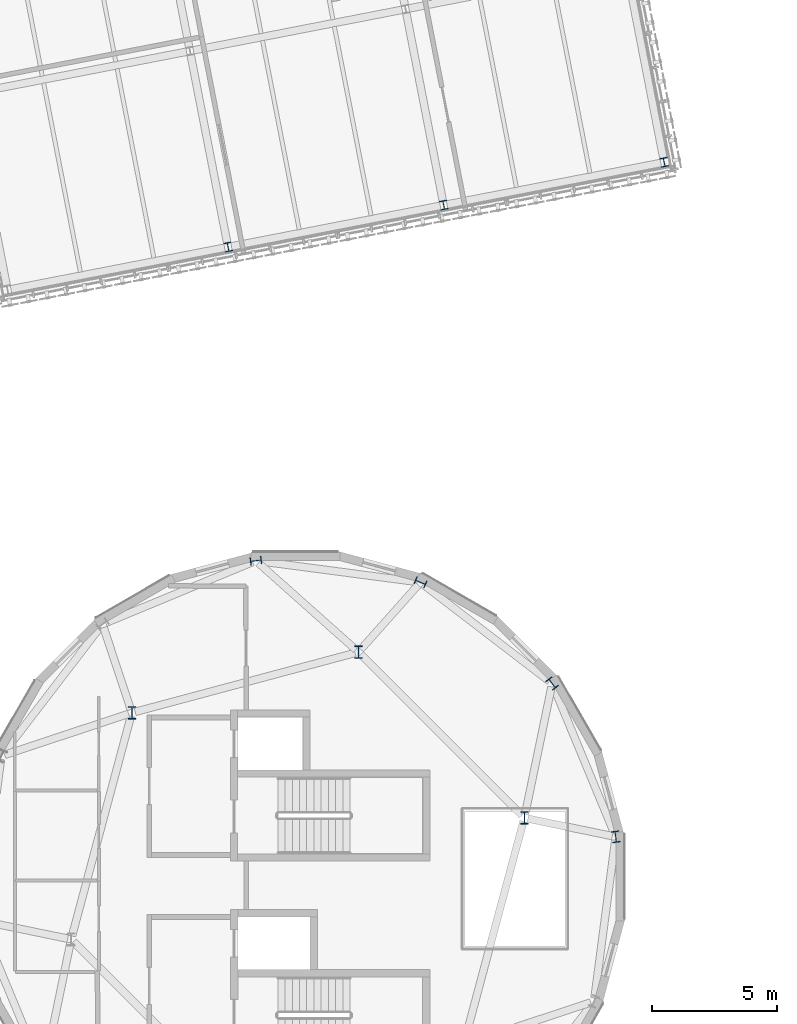
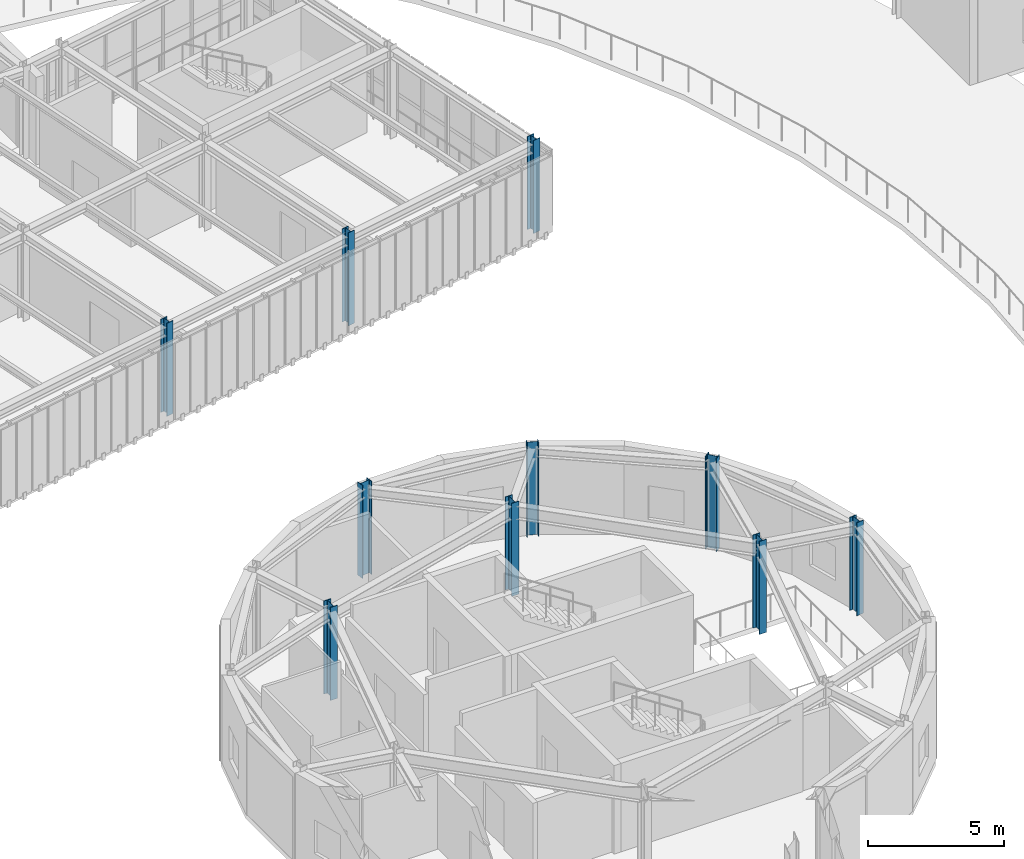
# One storey, part 5 of 59: 10 columns.
"""IFC4 building model written with IfcOpenShell, lengths in metres."""

from ifc_helpers import new_model, si_unit, direction, frame, origin, origin_2d, place, context, subcontext, project, spatial, i_section, extrude, material, material_profile, profile_set, type_object, element, save


model = new_model("IFC4")

# Units and contexts
model_context = context("Model", 3, precision=1e-05, world=origin(), true_north=direction((0.0, 1.0)))
body_context = subcontext(model_context, "Body", "Model", "MODEL_VIEW")
ifc_project = project(units=[si_unit("LENGTHUNIT", "METRE"), si_unit("AREAUNIT", "SQUARE_METRE"), si_unit("VOLUMEUNIT", "CUBIC_METRE"), si_unit("PLANEANGLEUNIT", "RADIAN"), si_unit("MASSUNIT", "GRAM", prefix="KILO")], contexts=[model_context])

# Site, building, storey
site_placement = place(None, origin())
site = spatial("IfcSite", under=ifc_project, at=site_placement, CompositionType="ELEMENT")
building_placement = place(site_placement, origin())
building = spatial("IfcBuilding", under=site, at=building_placement, Name="Varnklinge Art Gallery", CompositionType="ELEMENT")
storey_placement = place(building_placement, frame((0.0, 0.0, 9.52001953125)))
storey = spatial("IfcBuildingStorey", under=building, at=storey_placement, Name="L02", CompositionType="ELEMENT", Elevation=9.52001953125)

# Columns
ifc_material_1 = material(Name="Steel S355", Category="steel")
ifc_material_profile_1 = material_profile(ifc_material_1, i_section(OverallWidth=0.300048828125, OverallDepth=0.5, WebThickness=0.014404296875, FlangeThickness=0.028076171875, FilletRadius=0.027099609375, at=origin_2d()), Name="HEB 500")
ifc_profile_set_1 = profile_set([ifc_material_profile_1], Name="Steel S355")
column_type_1 = type_object("IfcColumnType", Name="COL-05", PredefinedType="COLUMN", material=ifc_profile_set_1)
for number, where, z_axis, x_axis, name in (
    (1, (84.57958984375, 40.932861328125, 0.0), (0.0, 0.0, 1.0), (1.0, 0.0, 0.0), "L02 Column V4CI-1"),
    (2, (77.932861328125, 47.57958984375, 0.0), (0.0, 0.0, 1.0), (1.0, 0.0, 0.0), "L02 Column V4CI-2"),
    (3, (68.853271484375, 45.146728515625, 0.0), (0.0, 0.0, 1.0), (1.0, 0.0, 0.0), "L02 Column V4CI-3"),
):
    element("IfcColumn", number, at=place(storey_placement, frame(where, z_axis=z_axis, x_axis=x_axis)), inside=storey, type_object=column_type_1, Name=name, PredefinedType="COLUMN", context=body_context, shape_type="SweptSolid", body=[
        extrude(i_section(OverallWidth=0.300048828125, OverallDepth=0.5, WebThickness=0.014404296875, FlangeThickness=0.028076171875, FilletRadius=0.027099609375, at=origin_2d()), origin(), (0.0, 0.0, 1.0), 4.159912109375),
    ])
ifc_material_2 = material(Name="Steel S355", Category="steel")
ifc_material_profile_2 = material_profile(ifc_material_2, i_section(OverallWidth=0.300048828125, OverallDepth=0.449951171875, WebThickness=0.013916015625, FlangeThickness=0.02587890625, FilletRadius=0.027099609375, at=origin_2d()), Name="HEB 450")
ifc_profile_set_2 = profile_set([ifc_material_profile_2], Name="Steel S355")
column_type_2 = type_object("IfcColumnType", Name="COL-E2", PredefinedType="COLUMN", material=ifc_profile_set_2)
for number, where, z_axis, x_axis, name in (
    (4, (88.239990234375, 40.17724609375, 0.0), (0.0, 0.0, 1.0), (0.991444861374, 0.13052619222, 0.0), "L02 Column V4CP-01"),
    (5, (85.694580078125, 46.322509765625, 0.0), (0.0, 0.0, 1.0), (0.793353340291, 0.608761429009, 0.0), "L02 Column V4CP-02"),
    (6, (80.41748046875, 50.371826171875, 0.0), (0.0, 0.0, 1.0), (0.382683432365, 0.923879532511, 0.0), "L02 Column V4CP-03"),
    (7, (73.82275390625, 51.239990234375, 0.0), (0.0, 0.0, 1.0), (-0.13052619222, 0.991444861374, 0.0), "L02 Column V4CP-04"),
):
    element("IfcColumn", number, at=place(storey_placement, frame(where, z_axis=z_axis, x_axis=x_axis)), inside=storey, type_object=column_type_2, Name=name, PredefinedType="COLUMN", context=body_context, shape_type="SweptSolid", body=[
        extrude(i_section(OverallWidth=0.300048828125, OverallDepth=0.449951171875, WebThickness=0.013916015625, FlangeThickness=0.02587890625, FilletRadius=0.027099609375, at=origin_2d()), origin(), (0.0, 0.0, 1.0), 4.159912109375),
    ])
ifc_material_3 = material(Name="Steel S355", Category="steel")
ifc_material_profile_3 = material_profile(ifc_material_3, i_section(OverallWidth=0.300048828125, OverallDepth=0.360107421875, WebThickness=0.012451171875, FlangeThickness=0.0224609375, FilletRadius=0.027099609375, at=origin_2d()), Name="HEB 360")
ifc_profile_set_3 = profile_set([ifc_material_profile_3], Name="Steel S355")
column_type_3 = type_object("IfcColumnType", Name="COL-E4", PredefinedType="COLUMN", material=ifc_profile_set_3)
for number, where, z_axis, x_axis, name in (
    (8, (72.707275390625, 63.807373046875, 0.0), (0.0, 0.0, 1.0), (0.981627183448, 0.190808995377, 0.0), "L02 Column V4BC-2-1"),
    (9, (81.345703125, 65.486572265625, 0.0), (0.0, 0.0, 1.0), (0.981627183448, 0.190808995377, 0.0), "L02 Column V4BC-3-1"),
    (10, (90.180419921875, 67.203857421875, 0.0), (0.0, 0.0, 1.0), (0.981627183448, 0.190808995377, 0.0), "L02 Column V4BC-4-1"),
):
    element("IfcColumn", number, at=place(storey_placement, frame(where, z_axis=z_axis, x_axis=x_axis)), inside=storey, type_object=column_type_3, Name=name, PredefinedType="COLUMN", context=body_context, shape_type="SweptSolid", body=[
        extrude(i_section(OverallWidth=0.300048828125, OverallDepth=0.360107421875, WebThickness=0.012451171875, FlangeThickness=0.0224609375, FilletRadius=0.027099609375, at=origin_2d()), origin(), (0.0, 0.0, 1.0), 4.159912109375),
    ])

save(model, "model.ifc")
